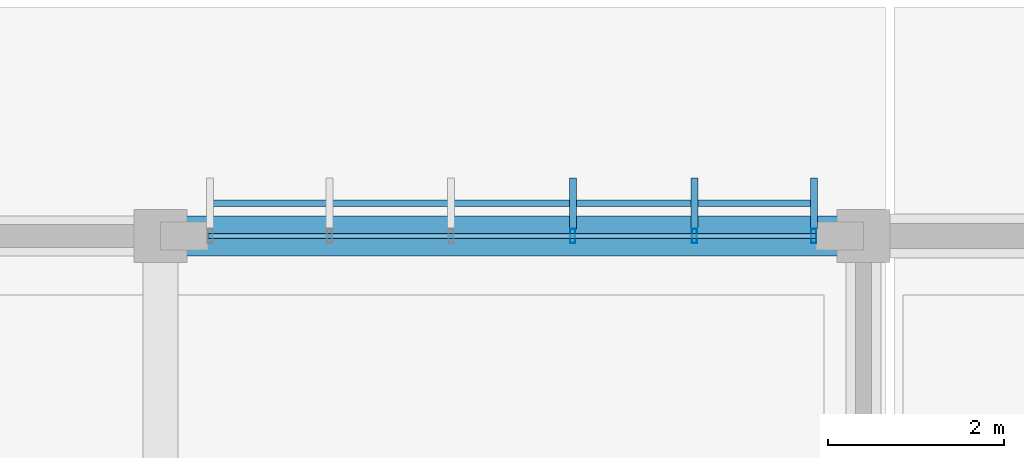
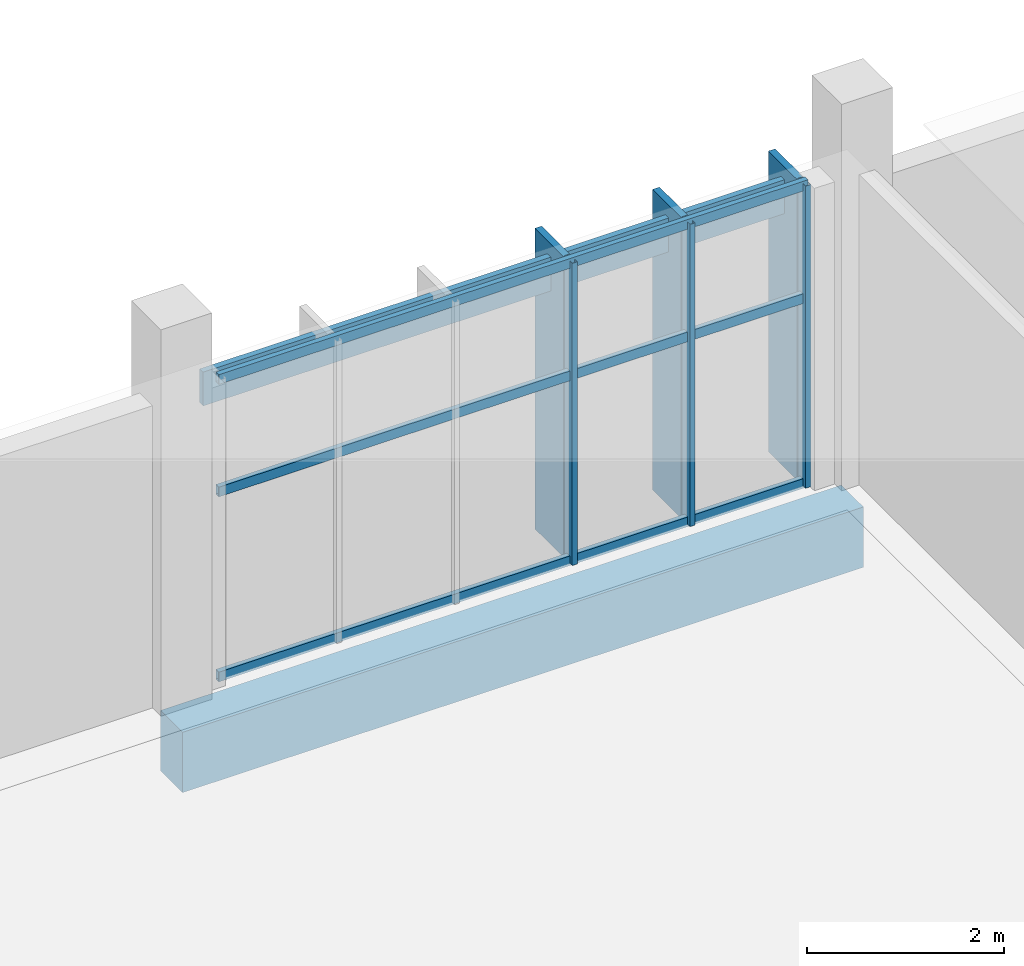
# One storey, part 96 of 151: 10 members, 1 beam, 1 element without a shape of its own.
"""IFC4 building model written with IfcOpenShell, lengths in metres."""

from ifc_helpers import new_model, si_unit, direction, frame, origin, origin_2d, place, context, subcontext, project, spatial, rectangle, hollow_rectangle, extrude, material, material_profile, profile_set, type_object, element, aggregate, save


model = new_model("IFC4")

# Units and contexts
model_context = context("Model", 3, precision=1e-05, world=origin(), true_north=direction((0.0, 1.0)))
body_context = subcontext(model_context, "Body", "Model", "MODEL_VIEW")
ifc_project = project(units=[si_unit("LENGTHUNIT", "METRE"), si_unit("AREAUNIT", "SQUARE_METRE"), si_unit("VOLUMEUNIT", "CUBIC_METRE"), si_unit("PLANEANGLEUNIT", "RADIAN"), si_unit("MASSUNIT", "GRAM", prefix="KILO")], contexts=[model_context])

# Site, building, storey
site_placement = place(None, origin())
site = spatial("IfcSite", under=ifc_project, at=site_placement, CompositionType="ELEMENT")
building_placement = place(site_placement, origin())
building = spatial("IfcBuilding", under=site, at=building_placement, Name="Chiffa Square Polytechnic", CompositionType="ELEMENT")
storey_placement = place(building_placement, origin())
storey = spatial("IfcBuildingStorey", under=building, at=storey_placement, Name="L00", CompositionType="ELEMENT", Elevation=0.0)

# Beam
ifc_material_1 = material(Name="Concrete C35/45", Category="concrete")
ifc_material_profile_1 = material_profile(ifc_material_1, rectangle(XDim=0.449951171875, YDim=0.75, at=origin_2d()), Name="RC 450x750")
ifc_profile_set_1 = profile_set([ifc_material_profile_1], Name="Concrete C35/45")
beam_type = type_object("IfcBeamType", Name="BM-RC-450X750", PredefinedType="BEAM", material=ifc_profile_set_1)
beam_placement = place(storey_placement, frame((40.0, 130.800048828125, -0.72509765625), z_axis=(1.0, 0.0, 0.0), x_axis=(0.0, 1.0, 0.0)))
element("IfcBeam", 1, at=beam_placement, inside=storey, type_object=beam_type, Name="Primary floor girder BM-V5-L00-X-0400-1308", PredefinedType="BEAM", context=body_context, shape_type="SweptSolid", body=[
    extrude(rectangle(XDim=0.449951171875, YDim=0.75, at=origin_2d()), origin(), (0.0, 0.0, 1.0), 8.0),
])

# Curtain wall, members
ifc_material_2 = material(Name="Aluminium EN AW-6060 T66 and glulam shading", Category="wood")
curtain_wall_type = type_object("IfcCurtainWallType", Name="CW-VERT-300X380", PredefinedType="USERDEFINED", material=ifc_material_2)
curtain_wall_placement = place(storey_placement, origin())
curtain_wall = element("IfcCurtainWall", 2, at=curtain_wall_placement, inside=storey, type_object=curtain_wall_type, Name="Curtain wall CW-V5-L00-195", ObjectType="CURTAIN WALL", PredefinedType="USERDEFINED")
ifc_material_3 = material(Name="Aluminium EN AW-6060 T66", Category="aluminium")
ifc_material_profile_2 = material_profile(ifc_material_3, hollow_rectangle(XDim=0.06005859375, YDim=0.159912109375, WallThickness=0.00390625, at=origin_2d()), Name="ALU 60x160x4")
ifc_profile_set_2 = profile_set([ifc_material_profile_2], Name="Aluminium EN AW-6060 T66")
member_type_1 = type_object("IfcMemberType", Name="CWM-ALU-65X150", PredefinedType="MULLION", material=ifc_profile_set_2)
member_1_placement = place(storey_placement, frame((47.43505859375, 130.800048828125, 0.0), z_axis=(0.0, 0.0, 1.0), x_axis=(1.0, 0.0, 0.0)))
member_1 = element("IfcMember", 3, at=member_1_placement, type_object=member_type_1, Name="Curtain wall mullion CW-V5-L00-195-M00", PredefinedType="MULLION", context=body_context, shape_type="SweptSolid", body=[
    extrude(hollow_rectangle(XDim=0.06005859375, YDim=0.159912109375, WallThickness=0.00390625, at=origin_2d()), origin(), (0.0, 0.0, 1.0), 3.7548828125),
])
member_2_placement = place(storey_placement, frame((46.075927734375, 130.800048828125, 0.0), z_axis=(0.0, 0.0, 1.0), x_axis=(1.0, 0.0, 0.0)))
member_2 = element("IfcMember", 4, at=member_2_placement, type_object=member_type_1, Name="Curtain wall mullion CW-V5-L00-195-M01", PredefinedType="MULLION", context=body_context, shape_type="SweptSolid", body=[
    extrude(hollow_rectangle(XDim=0.06005859375, YDim=0.159912109375, WallThickness=0.00390625, at=origin_2d()), origin(), (0.0, 0.0, 1.0), 3.7548828125),
])
member_3_placement = place(storey_placement, frame((44.69189453125, 130.800048828125, 0.0), z_axis=(0.0, 0.0, 1.0), x_axis=(1.0, 0.0, 0.0)))
member_3 = element("IfcMember", 5, at=member_3_placement, type_object=member_type_1, Name="Curtain wall mullion CW-V5-L00-195-M02", PredefinedType="MULLION", context=body_context, shape_type="SweptSolid", body=[
    extrude(hollow_rectangle(XDim=0.06005859375, YDim=0.159912109375, WallThickness=0.00390625, at=origin_2d()), origin(), (0.0, 0.0, 1.0), 3.7548828125),
])
ifc_material_4 = material(Name="Glulam GL28h", Category="wood")
ifc_material_profile_3 = material_profile(ifc_material_4, rectangle(XDim=0.080078125, YDim=0.580078125, at=origin_2d()), Name="GL28h 80x580")
ifc_profile_set_3 = profile_set([ifc_material_profile_3], Name="Glulam GL28h")
member_type_2 = type_object("IfcMemberType", Name="CWM-GL-80X580", PredefinedType="MULLION", material=ifc_profile_set_3)
member_4_placement = place(storey_placement, frame((47.43505859375, 131.172119140625, 0.010009765625), z_axis=(0.0, 0.0, 1.0), x_axis=(-1.0, 0.0, 0.0)))
member_4 = element("IfcMember", 6, at=member_4_placement, type_object=member_type_2, Name="Exterior glulam solar fin CW-V5-L00-195-FN00", PredefinedType="MULLION", context=body_context, shape_type="SweptSolid", body=[
    extrude(rectangle(XDim=0.080078125, YDim=0.580078125, at=origin_2d()), origin(), (0.0, 0.0, 1.0), 3.735107421875),
])
member_5_placement = place(storey_placement, frame((46.075927734375, 131.172119140625, 0.010009765625), z_axis=(0.0, 0.0, 1.0), x_axis=(-1.0, 0.0, 0.0)))
member_5 = element("IfcMember", 7, at=member_5_placement, type_object=member_type_2, Name="Exterior glulam solar fin CW-V5-L00-195-FN01", PredefinedType="MULLION", context=body_context, shape_type="SweptSolid", body=[
    extrude(rectangle(XDim=0.080078125, YDim=0.580078125, at=origin_2d()), origin(), (0.0, 0.0, 1.0), 3.735107421875),
])
member_6_placement = place(storey_placement, frame((44.69189453125, 131.172119140625, 0.010009765625), z_axis=(0.0, 0.0, 1.0), x_axis=(-1.0, 0.0, 0.0)))
member_6 = element("IfcMember", 8, at=member_6_placement, type_object=member_type_2, Name="Exterior glulam solar fin CW-V5-L00-195-FN02", PredefinedType="MULLION", context=body_context, shape_type="SweptSolid", body=[
    extrude(rectangle(XDim=0.080078125, YDim=0.580078125, at=origin_2d()), origin(), (0.0, 0.0, 1.0), 3.735107421875),
])
ifc_material_profile_4 = material_profile(ifc_material_3, hollow_rectangle(XDim=0.06005859375, YDim=0.1201171875, WallThickness=0.00390625, at=origin_2d()), Name="ALU 60x120x4")
ifc_profile_set_4 = profile_set([ifc_material_profile_4], Name="Aluminium EN AW-6060 T66")
member_type_3 = type_object("IfcMemberType", Name="CWT-ALU-65X120", PredefinedType="USERDEFINED", material=ifc_profile_set_4)
member_7_placement = place(storey_placement, frame((47.4619140625, 130.800048828125, 0.030029296875), z_axis=(-1.0, 0.0, 0.0), x_axis=(0.0, -1.0, 0.0)))
member_7 = element("IfcMember", 9, at=member_7_placement, type_object=member_type_3, Name="Curtain wall transom CW-V5-L00-195-T01", ObjectType="TRANSOM", PredefinedType="USERDEFINED", context=body_context, shape_type="SweptSolid", body=[
    extrude(hollow_rectangle(XDim=0.06005859375, YDim=0.1201171875, WallThickness=0.00390625, at=origin_2d()), origin(), (0.0, 0.0, 1.0), 6.923828125),
])
member_8_placement = place(storey_placement, frame((47.4619140625, 130.800048828125, 2.327880859375), z_axis=(-1.0, 0.0, 0.0), x_axis=(0.0, -1.0, 0.0)))
member_8 = element("IfcMember", 10, at=member_8_placement, type_object=member_type_3, Name="Curtain wall transom CW-V5-L00-195-T02", ObjectType="TRANSOM", PredefinedType="USERDEFINED", context=body_context, shape_type="SweptSolid", body=[
    extrude(hollow_rectangle(XDim=0.06005859375, YDim=0.1201171875, WallThickness=0.00390625, at=origin_2d()), origin(), (0.0, 0.0, 1.0), 6.923828125),
])
member_9_placement = place(storey_placement, frame((47.4619140625, 130.800048828125, 3.72509765625), z_axis=(-1.0, 0.0, 0.0), x_axis=(0.0, -1.0, 0.0)))
member_9 = element("IfcMember", 11, at=member_9_placement, type_object=member_type_3, Name="Curtain wall transom CW-V5-L00-195-T03", ObjectType="TRANSOM", PredefinedType="USERDEFINED", context=body_context, shape_type="SweptSolid", body=[
    extrude(hollow_rectangle(XDim=0.06005859375, YDim=0.1201171875, WallThickness=0.00390625, at=origin_2d()), origin(), (0.0, 0.0, 1.0), 6.923828125),
])
ifc_material_profile_5 = material_profile(ifc_material_4, rectangle(XDim=0.070068359375, YDim=0.419921875, at=origin_2d()), Name="GL28h 70x420")
ifc_profile_set_5 = profile_set([ifc_material_profile_5], Name="Glulam GL28h")
member_type_4 = type_object("IfcMemberType", Name="CWT-GL-70X420", PredefinedType="USERDEFINED", material=ifc_profile_set_5)
member_10_placement = place(storey_placement, frame((47.43505859375, 131.172119140625, 3.375), z_axis=(-1.0, 0.0, 0.0), x_axis=(0.0, -1.0, 0.0)))
member_10 = element("IfcMember", 12, at=member_10_placement, type_object=member_type_4, Name="Exterior glulam brise-soleil CW-V5-L00-195-BS01", ObjectType="TRANSOM", PredefinedType="USERDEFINED", context=body_context, shape_type="SweptSolid", body=[
    extrude(rectangle(XDim=0.070068359375, YDim=0.419921875, at=origin_2d()), origin(), (0.0, 0.0, 1.0), 6.8701171875),
])
aggregate(curtain_wall, [member_1, member_4, member_2, member_5, member_3, member_6, member_7, member_8, member_9, member_10])

save(model, "model.ifc")
